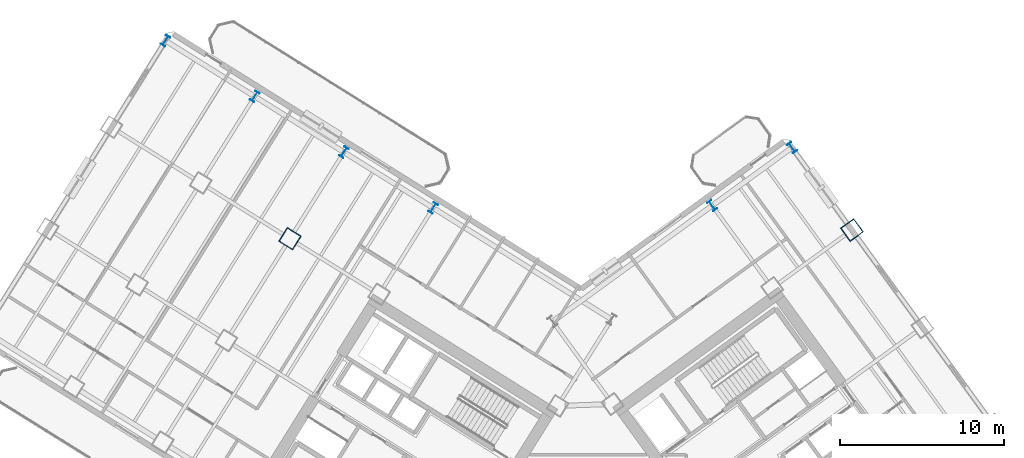
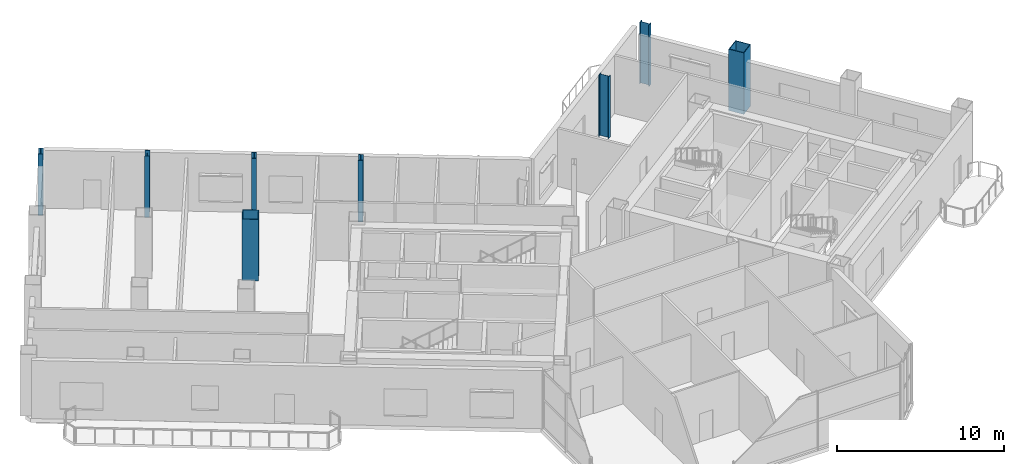
# One storey, part 3 of 19: 8 columns.
"""IFC4 building model written with IfcOpenShell, lengths in metres."""

from ifc_helpers import new_model, si_unit, direction, frame, origin, origin_2d, place, context, subcontext, project, spatial, hollow_rectangle, i_section, extrude, source, transform, mapped, material, material_profile, profile_set, type_object, element, save


model = new_model("IFC4")

# Units and contexts
model_context = context("Model", 3, precision=1e-05, world=origin(), true_north=direction((0.0, 1.0)))
body_context = subcontext(model_context, "Body", "Model", "MODEL_VIEW")
ifc_project = project(units=[si_unit("LENGTHUNIT", "METRE"), si_unit("AREAUNIT", "SQUARE_METRE"), si_unit("VOLUMEUNIT", "CUBIC_METRE"), si_unit("PLANEANGLEUNIT", "RADIAN"), si_unit("MASSUNIT", "GRAM", prefix="KILO")], contexts=[model_context])

# Site, building, storey
site_placement = place(None, origin())
site = spatial("IfcSite", under=ifc_project, at=site_placement, CompositionType="ELEMENT")
building_placement = place(site_placement, origin())
building = spatial("IfcBuilding", under=site, at=building_placement, Name="Tlacorven Tower", CompositionType="ELEMENT")
storey_placement = place(building_placement, frame((0.0, 0.0, 76.5)))
storey = spatial("IfcBuildingStorey", under=building, at=storey_placement, Name="L19", CompositionType="ELEMENT", Elevation=76.5)

# Columns
ifc_material = material(Name="Steel S460M", Category="steel")
ifc_material_profile_1 = material_profile(ifc_material, hollow_rectangle(XDim=1.0, YDim=1.0, WallThickness=0.0400390625, at=origin_2d()), Name="BOX 1000X1000X40")
ifc_profile_set_1 = profile_set([ifc_material_profile_1], Name="Steel S460M")
column_type_1 = type_object("IfcColumnType", Name="COL-TWR-S1", PredefinedType="COLUMN", material=ifc_profile_set_1)
shared_shape_1 = source(origin(), body_context, "Body", "SweptSolid", [
    extrude(hollow_rectangle(XDim=1.0, YDim=1.0, WallThickness=0.0400390625, at=origin_2d()), origin(), (0.0, 0.0, 1.0), 4.5),
])
for number, where, z_axis, x_axis, name in (
    (1, (24.50048828125, 34.642822265625, 0.0), (0.0, 0.0, 1.0), (-0.848048096156, 0.529919264233, 0.0), "L19 column COL-L19-W4-2"),
    (2, (58.68603515625, 35.165283203125, 0.0), (0.0, 0.0, 1.0), (0.809016994375, 0.587785252292, 0.0), "L19 column COL-L19-E4-3"),
):
    element("IfcColumn", number, at=place(storey_placement, frame(where, z_axis=z_axis, x_axis=x_axis)), inside=storey, type_object=column_type_1, Name=name, PredefinedType="COLUMN", context=body_context, shape_type="MappedRepresentation", body=[
        mapped(shared_shape_1, transform((0.0, 0.0, 0.0), scale=1.0)),
    ])
ifc_material_profile_2 = material_profile(ifc_material, i_section(OverallWidth=0.300048828125, OverallDepth=0.64990234375, WebThickness=0.01611328125, FlangeThickness=0.031005859375, at=origin_2d()), Name="HEB 650")
ifc_profile_set_2 = profile_set([ifc_material_profile_2], Name="Steel S460M")
column_type_2 = type_object("IfcColumnType", Name="COL-TWR-P1", PredefinedType="COLUMN", material=ifc_profile_set_2)
shared_shape_2 = source(origin(), body_context, "Body", "SweptSolid", [
    extrude(i_section(OverallWidth=0.300048828125, OverallDepth=0.64990234375, WebThickness=0.01611328125, FlangeThickness=0.031005859375, at=origin_2d()), origin(), (0.0, 0.0, 1.0), 4.5),
])
for number, where, z_axis, x_axis, name in (
    (3, (33.21337890625, 36.50927734375, 0.0), (0.0, 0.0, 1.0), (-0.848048096156, 0.529919264233, 0.0), "L19 column COL-L19-W3-1"),
    (4, (27.785888671875, 39.900634765625, 0.0), (0.0, 0.0, 1.0), (-0.848048096156, 0.529919264233, 0.0), "L19 column COL-L19-W4-1"),
    (5, (22.3583984375, 43.292236328125, 0.0), (0.0, 0.0, 1.0), (-0.848048096156, 0.529919264233, 0.0), "L19 column COL-L19-W5-1"),
    (6, (16.930908203125, 46.68359375, 0.0), (0.0, 0.0, 1.0), (-0.848048096156, 0.529919264233, 0.0), "L19 column COL-L19-W6-1"),
    (7, (50.187744140625, 36.654296875, 0.0), (0.0, 0.0, 1.0), (0.809016994375, 0.587785252292, 0.0), "L19 column COL-L19-E3-4"),
    (8, (55.041748046875, 40.18115234375, 0.0), (0.0, 0.0, 1.0), (0.809016994375, 0.587785252292, 0.0), "L19 column COL-L19-E4-4"),
):
    element("IfcColumn", number, at=place(storey_placement, frame(where, z_axis=z_axis, x_axis=x_axis)), inside=storey, type_object=column_type_2, Name=name, PredefinedType="COLUMN", context=body_context, shape_type="MappedRepresentation", body=[
        mapped(shared_shape_2, transform((0.0, 0.0, 0.0), scale=1.0)),
    ])

save(model, "model.ifc")
